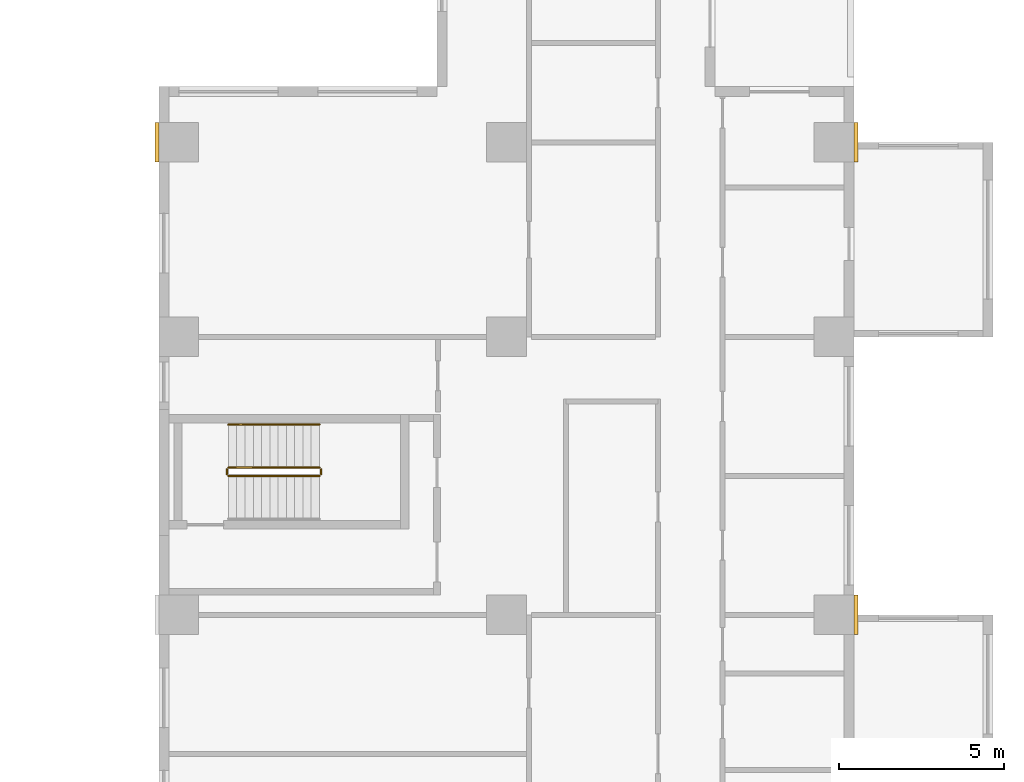
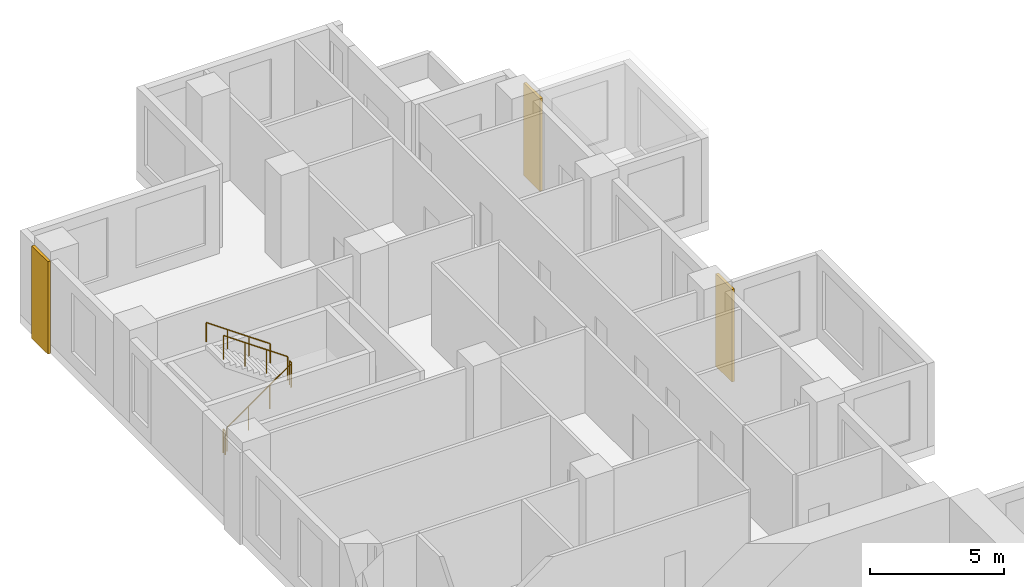
# One storey, part 14 of 14: 5 railings, 3 coverings.
"""IFC4 building model written with IfcOpenShell, lengths in metres."""

from ifc_helpers import new_model, si_unit, direction, frame, origin, origin_2d, place, context, subcontext, project, spatial, rectangle, circle, extrude, source, transform, mapped, material, type_object, element, save


model = new_model("IFC4")

# Units and contexts
model_context = context("Model", 3, precision=1e-05, world=origin(), true_north=direction((0.0, 1.0)))
body_context = subcontext(model_context, "Body", "Model", "MODEL_VIEW")
ifc_project = project(units=[si_unit("LENGTHUNIT", "METRE"), si_unit("AREAUNIT", "SQUARE_METRE"), si_unit("VOLUMEUNIT", "CUBIC_METRE"), si_unit("PLANEANGLEUNIT", "RADIAN"), si_unit("MASSUNIT", "GRAM", prefix="KILO")], contexts=[model_context])

# Site, building, storey
site_placement = place(None, origin())
site = spatial("IfcSite", under=ifc_project, at=site_placement, CompositionType="ELEMENT")
building_placement = place(site_placement, origin())
building = spatial("IfcBuilding", under=site, at=building_placement, Name="Aurelian Terraces", CompositionType="ELEMENT")
storey_placement = place(building_placement, frame((0.0, 0.0, 90.9)))
storey = spatial("IfcBuildingStorey", under=building, at=storey_placement, Name="L19", CompositionType="ELEMENT", Elevation=90.9)

# Coverings
ifc_material_1 = material(Name="Terracotta rainscreen cladding relief", Category="masonry")
covering_type = type_object("IfcCoveringType", Name="BAGUETTE-TC", PredefinedType="CLADDING", material=ifc_material_1)
shared_shape_1 = source(origin(), body_context, "Body", "SweptSolid", [
    extrude(rectangle(XDim=0.12, YDim=1.2, at=origin_2d()), origin(), (0.0, 0.0, 1.0), 4.2),
])
for number, where, z_axis, x_axis, name in (
    (1, (21.06, 37.8, -0.4), (0.0, 0.0, 1.0), (1.0, 0.0, 0.0), "BAGUETTE pier L19 11"),
    (2, (-0.06, 52.08, -0.4), (0.0, 0.0, 1.0), (1.0, 0.0, 0.0), "BAGUETTE pier L19 12"),
    (3, (21.06, 52.08, -0.4), (0.0, 0.0, 1.0), (1.0, 0.0, 0.0), "BAGUETTE pier L19 13"),
):
    element("IfcCovering", number, at=place(storey_placement, frame(where, z_axis=z_axis, x_axis=x_axis)), inside=storey, type_object=covering_type, Name=name, PredefinedType="CLADDING", context=body_context, shape_type="MappedRepresentation", body=[
        mapped(shared_shape_1, transform((0.0, 0.0, 0.0), scale=1.0)),
    ])

# Railings
ifc_material_2 = material(Name="Stainless steel", Category="steel")
railing_type_1 = type_object("IfcRailingType", Name="Stair guard 1100", PredefinedType="GUARDRAIL", material=ifc_material_2)
shared_shape_2 = source(origin(), body_context, "Body", "SweptSolid", [
    extrude(circle(Radius=0.024, at=origin_2d()), frame((0.0, 0.0, 1.076), z_axis=(0.0, 1.0, 0.0), x_axis=(-1.0, 0.0, 0.0)), (0.0, 0.0, 1.0), 0.15),
    extrude(circle(Radius=0.021, at=origin_2d()), origin(), (0.0, 0.0, 1.0), 1.052),
    extrude(circle(Radius=0.021, at=origin_2d()), frame((0.0, 0.15, 0.0)), (0.0, 0.0, 1.0), 1.052),
])
for number, where, name in (
    (4, (4.9, 42.05, 2.1), "L19 S3 stair guard 2"),
    (5, (2.05, 42.05, 0.0), "L19 S3 stair guard 4"),
):
    element("IfcRailing", number, at=place(storey_placement, frame(where)), inside=storey, type_object=railing_type_1, Name=name, PredefinedType="GUARDRAIL", context=body_context, shape_type="MappedRepresentation", body=[
        mapped(shared_shape_2, transform((0.0, 0.0, 0.0), scale=1.0)),
    ])
shared_shape_3 = source(origin(), body_context, "Body", "SweptSolid", [
    extrude(circle(Radius=0.024, at=origin_2d()), frame((0.0, 0.0, 1.076), z_axis=(0.819231920519, 0.0, 0.573462344363), x_axis=(0.0, 1.0, 0.0)), (0.0, 0.0, 1.0), 3.3568),
    extrude(circle(Radius=0.021, at=origin_2d()), origin(), (0.0, 0.0, 1.0), 1.052),
    extrude(circle(Radius=0.021, at=origin_2d()), frame((0.9167, 0.0, 0.6417)), (0.0, 0.0, 1.0), 1.052),
    extrude(circle(Radius=0.021, at=origin_2d()), frame((1.8333, 0.0, 1.2833)), (0.0, 0.0, 1.0), 1.052),
    extrude(circle(Radius=0.021, at=origin_2d()), frame((2.75, 0.0, 1.925)), (0.0, 0.0, 1.0), 1.052),
])
railing_1_placement = place(storey_placement, frame((2.1, 42.0, 0.175)))
element("IfcRailing", 6, at=railing_1_placement, inside=storey, type_object=railing_type_1, Name="L19 S3 stair guard 1", PredefinedType="GUARDRAIL", context=body_context, shape_type="MappedRepresentation", body=[
    mapped(shared_shape_3, transform((0.0, 0.0, 0.0), scale=1.0)),
])
shared_shape_4 = source(origin(), body_context, "Body", "SweptSolid", [
    extrude(circle(Radius=0.024, at=origin_2d()), frame((0.0, 0.0, 1.076), z_axis=(-0.819231920519, 0.0, 0.573462344363), x_axis=(0.0, -1.0, 0.0)), (0.0, 0.0, 1.0), 3.3568),
    extrude(circle(Radius=0.021, at=origin_2d()), origin(), (0.0, 0.0, 1.0), 1.052),
    extrude(circle(Radius=0.021, at=origin_2d()), frame((-0.9167, 0.0, 0.6417)), (0.0, 0.0, 1.0), 1.052),
    extrude(circle(Radius=0.021, at=origin_2d()), frame((-1.8333, 0.0, 1.2833)), (0.0, 0.0, 1.0), 1.052),
    extrude(circle(Radius=0.021, at=origin_2d()), frame((-2.75, 0.0, 1.925)), (0.0, 0.0, 1.0), 1.052),
])
railing_2_placement = place(storey_placement, frame((4.85, 42.25, 2.275)))
element("IfcRailing", 7, at=railing_2_placement, inside=storey, type_object=railing_type_1, Name="L19 S3 stair guard 3", PredefinedType="GUARDRAIL", context=body_context, shape_type="MappedRepresentation", body=[
    mapped(shared_shape_4, transform((0.0, 0.0, 0.0), scale=1.0)),
])
railing_type_2 = type_object("IfcRailingType", Name="Stair handrail", PredefinedType="HANDRAIL", material=ifc_material_2)
shared_shape_5 = source(origin(), body_context, "Body", "SweptSolid", [
    extrude(circle(Radius=0.024, at=origin_2d()), frame((0.0, 0.0, 0.876), z_axis=(-0.819231920519, 0.0, 0.573462344363), x_axis=(0.0, -1.0, 0.0)), (0.0, 0.0, 1.0), 3.3568),
    extrude(circle(Radius=0.021, at=origin_2d()), origin(), (0.0, 0.0, 1.0), 0.852),
    extrude(circle(Radius=0.021, at=origin_2d()), frame((-0.9167, 0.0, 0.6417)), (0.0, 0.0, 1.0), 0.852),
    extrude(circle(Radius=0.021, at=origin_2d()), frame((-1.8333, 0.0, 1.2833)), (0.0, 0.0, 1.0), 0.852),
    extrude(circle(Radius=0.021, at=origin_2d()), frame((-2.75, 0.0, 1.925)), (0.0, 0.0, 1.0), 0.852),
])
railing_3_placement = place(storey_placement, frame((4.85, 43.55, 2.275)))
element("IfcRailing", 8, at=railing_3_placement, inside=storey, type_object=railing_type_2, Name="L19 S3 stair handrail 2", PredefinedType="HANDRAIL", context=body_context, shape_type="MappedRepresentation", body=[
    mapped(shared_shape_5, transform((0.0, 0.0, 0.0), scale=1.0)),
])

save(model, "model.ifc")
